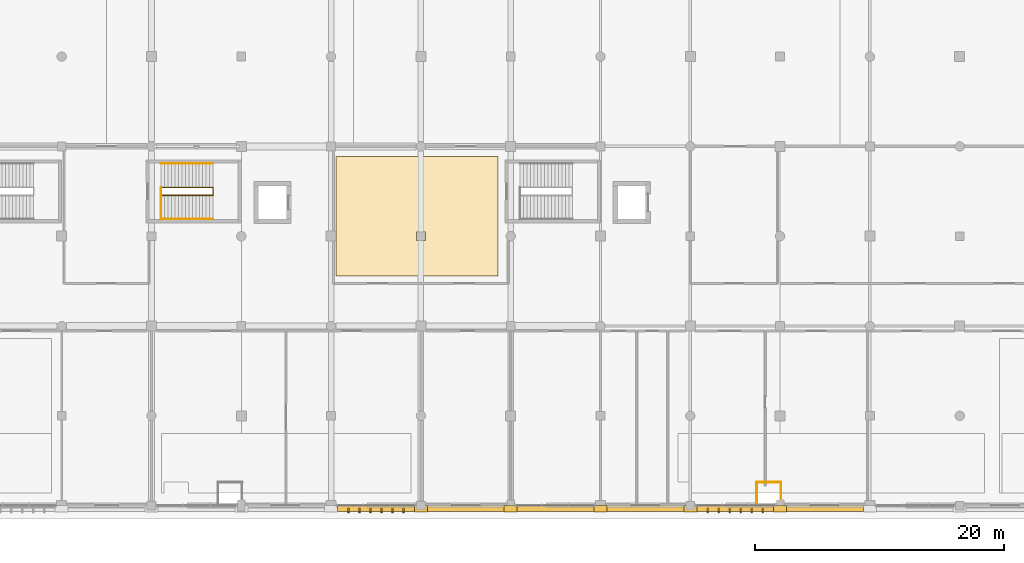
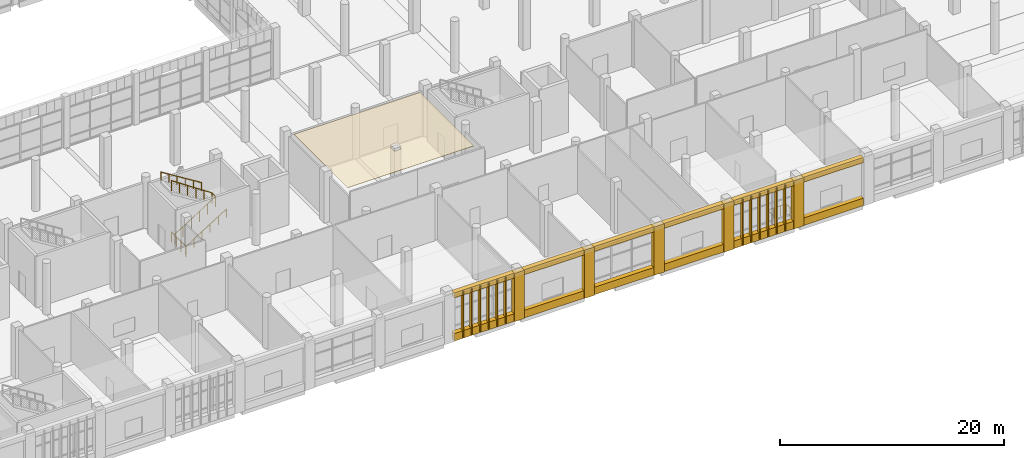
# One storey, part 69 of 80: 30 coverings, 8 railings.
"""IFC4 building model written with IfcOpenShell, lengths in metres."""

from ifc_helpers import new_model, si_unit, direction, frame, origin, origin_2d, place, context, subcontext, project, spatial, polyline, rectangle, circle, outline, extrude, material, layer, layer_set, type_object, element, save


model = new_model("IFC4")

# Units and contexts
model_context = context("Model", 3, precision=1e-05, world=origin(), true_north=direction((0.0, 1.0)))
body_context = subcontext(model_context, "Body", "Model", "MODEL_VIEW")
ifc_project = project(units=[si_unit("LENGTHUNIT", "METRE"), si_unit("AREAUNIT", "SQUARE_METRE"), si_unit("VOLUMEUNIT", "CUBIC_METRE"), si_unit("PLANEANGLEUNIT", "RADIAN"), si_unit("MASSUNIT", "GRAM", prefix="KILO")], contexts=[model_context])

# Site, building, storey
site_placement = place(None, origin())
site = spatial("IfcSite", under=ifc_project, at=site_placement, CompositionType="ELEMENT")
building_placement = place(site_placement, origin())
building = spatial("IfcBuilding", under=site, at=building_placement, Name="Sardonyx Promenade Sports Hall", CompositionType="ELEMENT")
storey_placement = place(building_placement, frame((0.0, 0.0, 5.60009765625)))
storey = spatial("IfcBuildingStorey", under=building, at=storey_placement, Name="L01", CompositionType="ELEMENT", Elevation=5.60009765625)

# Coverings
ifc_material_1 = material(Name="Perforated acoustic mineral-fibre baffle ceiling", Category="other")
ifc_layer_1 = layer(ifc_material_1, 0.0400390625)
ifc_layer_set_1 = layer_set([ifc_layer_1], Name="Cov_Ceil_Acoustic")
covering_type_1 = type_object("IfcCoveringType", Name="Cov_Ceil_Acoustic", PredefinedType="CEILING", material=ifc_layer_set_1)
covering_1_placement = place(storey_placement, frame((0.0, 0.0, 5.289794921875)))
element("IfcCovering", 1, at=covering_1_placement, inside=storey, type_object=covering_type_1, Name="Acoustic baffle ceiling CLG1 L01 #14", PredefinedType="CEILING", context=body_context, shape_type="SweptSolid", body=[
    extrude(outline(polyline([(86.800048828125, 21.199951171875), (86.800048828125, 18.39990234375), (99.800048828125, 18.39990234375), (99.800048828125, 28.0), (86.800048828125, 28.0), (86.800048828125, 22.0), (86.800048828125, 21.199951171875)]), holes=[polyline([(93.949951171875, 21.949951171875), (93.949951171875, 21.25), (93.25, 21.25), (93.25, 21.949951171875), (93.949951171875, 21.949951171875)])]), origin(), (0.0, 0.0, 1.0), 0.0400390625),
])
ifc_material_2 = material(Name="Dressed Cape red sandstone ashlar", Category="masonry")
ifc_layer_2 = layer(ifc_material_2, 0.06005859375)
ifc_layer_set_2 = layer_set([ifc_layer_2], Name="Cov_Cladding_Sandstone")
covering_type_2 = type_object("IfcCoveringType", Name="Cov_Cladding_Sandstone", PredefinedType="CLADDING", material=ifc_layer_set_2)
covering_2_placement = place(storey_placement, origin())
element("IfcCovering", 2, at=covering_2_placement, inside=storey, type_object=covering_type_2, Name="South sandstone bay pier casing L01 #13", PredefinedType="CLADDING", context=body_context, shape_type="SweptSolid", body=[
    extrude(outline(polyline([(93.080078125, -0.52001953125), (94.1201171875, -0.52001953125), (94.1201171875, 0.02001953125), (93.080078125, 0.02001953125), (93.080078125, -0.52001953125)])), origin(), (0.0, 0.0, 1.0), 5.25),
])
covering_3_placement = place(storey_placement, origin())
element("IfcCovering", 3, at=covering_3_placement, inside=storey, type_object=covering_type_2, Name="South sandstone bay pier casing L01 #14", PredefinedType="CLADDING", context=body_context, shape_type="SweptSolid", body=[
    extrude(outline(polyline([(100.280029296875, -0.52001953125), (101.320068359375, -0.52001953125), (101.320068359375, 0.02001953125), (100.280029296875, 0.02001953125), (100.280029296875, -0.52001953125)])), origin(), (0.0, 0.0, 1.0), 5.25),
])
covering_4_placement = place(storey_placement, origin())
element("IfcCovering", 4, at=covering_4_placement, inside=storey, type_object=covering_type_2, Name="South sandstone bay pier casing L01 #15", PredefinedType="CLADDING", context=body_context, shape_type="SweptSolid", body=[
    extrude(outline(polyline([(107.47998046875, -0.52001953125), (108.52001953125, -0.52001953125), (108.52001953125, 0.02001953125), (107.47998046875, 0.02001953125), (107.47998046875, -0.52001953125)])), origin(), (0.0, 0.0, 1.0), 5.25),
])
covering_5_placement = place(storey_placement, origin())
element("IfcCovering", 5, at=covering_5_placement, inside=storey, type_object=covering_type_2, Name="South sandstone bay pier casing L01 #16", PredefinedType="CLADDING", context=body_context, shape_type="SweptSolid", body=[
    extrude(outline(polyline([(114.679931640625, -0.52001953125), (115.719970703125, -0.52001953125), (115.719970703125, 0.02001953125), (114.679931640625, 0.02001953125), (114.679931640625, -0.52001953125)])), origin(), (0.0, 0.0, 1.0), 5.25),
])
covering_6_placement = place(storey_placement, origin())
element("IfcCovering", 6, at=covering_6_placement, inside=storey, type_object=covering_type_2, Name="South sandstone bay pier casing L01 #17", PredefinedType="CLADDING", context=body_context, shape_type="SweptSolid", body=[
    extrude(outline(polyline([(121.8798828125, -0.52001953125), (122.919921875, -0.52001953125), (122.919921875, 0.02001953125), (121.8798828125, 0.02001953125), (121.8798828125, -0.52001953125)])), origin(), (0.0, 0.0, 1.0), 5.25),
])
covering_7_placement = place(storey_placement, origin())
element("IfcCovering", 7, at=covering_7_placement, inside=storey, type_object=covering_type_2, Name="South sandstone sill spandrel L01 #5", PredefinedType="CLADDING", context=body_context, shape_type="SweptSolid", body=[
    extrude(outline(polyline([(122.919921875, -0.4599609375), (129.080078125, -0.4599609375), (129.080078125, 0.02001953125), (122.919921875, 0.02001953125), (122.919921875, -0.4599609375)])), origin(), (0.0, 0.0, 1.0), 0.81982421875),
])
covering_8_placement = place(storey_placement, frame((0.0, 0.0, 4.699951171875)))
element("IfcCovering", 8, at=covering_8_placement, inside=storey, type_object=covering_type_2, Name="South sandstone lintel frieze L01 #5", PredefinedType="CLADDING", context=body_context, shape_type="SweptSolid", body=[
    extrude(outline(polyline([(122.919921875, -0.4599609375), (129.080078125, -0.4599609375), (129.080078125, 0.02001953125), (122.919921875, 0.02001953125), (122.919921875, -0.4599609375)])), origin(), (0.0, 0.0, 1.0), 0.550048828125),
])
covering_9_placement = place(storey_placement, origin())
element("IfcCovering", 9, at=covering_9_placement, inside=storey, type_object=covering_type_2, Name="South sandstone sill spandrel L01 #6", PredefinedType="CLADDING", context=body_context, shape_type="SweptSolid", body=[
    extrude(outline(polyline([(115.719970703125, -0.4599609375), (121.8798828125, -0.4599609375), (121.8798828125, 0.02001953125), (115.719970703125, 0.02001953125), (115.719970703125, -0.4599609375)])), origin(), (0.0, 0.0, 1.0), 0.81982421875),
])
covering_10_placement = place(storey_placement, frame((0.0, 0.0, 4.699951171875)))
element("IfcCovering", 10, at=covering_10_placement, inside=storey, type_object=covering_type_2, Name="South sandstone lintel frieze L01 #6", PredefinedType="CLADDING", context=body_context, shape_type="SweptSolid", body=[
    extrude(outline(polyline([(115.719970703125, -0.4599609375), (121.8798828125, -0.4599609375), (121.8798828125, 0.02001953125), (115.719970703125, 0.02001953125), (115.719970703125, -0.4599609375)])), origin(), (0.0, 0.0, 1.0), 0.550048828125),
])
covering_11_placement = place(storey_placement, origin())
element("IfcCovering", 11, at=covering_11_placement, inside=storey, type_object=covering_type_2, Name="South sandstone sill spandrel L01 #7", PredefinedType="CLADDING", context=body_context, shape_type="SweptSolid", body=[
    extrude(outline(polyline([(108.52001953125, -0.4599609375), (114.679931640625, -0.4599609375), (114.679931640625, 0.02001953125), (108.52001953125, 0.02001953125), (108.52001953125, -0.4599609375)])), origin(), (0.0, 0.0, 1.0), 0.81982421875),
])
covering_12_placement = place(storey_placement, frame((0.0, 0.0, 4.699951171875)))
element("IfcCovering", 12, at=covering_12_placement, inside=storey, type_object=covering_type_2, Name="South sandstone lintel frieze L01 #7", PredefinedType="CLADDING", context=body_context, shape_type="SweptSolid", body=[
    extrude(outline(polyline([(108.52001953125, -0.4599609375), (114.679931640625, -0.4599609375), (114.679931640625, 0.02001953125), (108.52001953125, 0.02001953125), (108.52001953125, -0.4599609375)])), origin(), (0.0, 0.0, 1.0), 0.550048828125),
])
covering_13_placement = place(storey_placement, origin())
element("IfcCovering", 13, at=covering_13_placement, inside=storey, type_object=covering_type_2, Name="South sandstone sill spandrel L01 #8", PredefinedType="CLADDING", context=body_context, shape_type="SweptSolid", body=[
    extrude(outline(polyline([(101.320068359375, -0.4599609375), (107.47998046875, -0.4599609375), (107.47998046875, 0.02001953125), (101.320068359375, 0.02001953125), (101.320068359375, -0.4599609375)])), origin(), (0.0, 0.0, 1.0), 0.81982421875),
])
covering_14_placement = place(storey_placement, frame((0.0, 0.0, 4.699951171875)))
element("IfcCovering", 14, at=covering_14_placement, inside=storey, type_object=covering_type_2, Name="South sandstone lintel frieze L01 #8", PredefinedType="CLADDING", context=body_context, shape_type="SweptSolid", body=[
    extrude(outline(polyline([(101.320068359375, -0.4599609375), (107.47998046875, -0.4599609375), (107.47998046875, 0.02001953125), (101.320068359375, 0.02001953125), (101.320068359375, -0.4599609375)])), origin(), (0.0, 0.0, 1.0), 0.550048828125),
])
covering_15_placement = place(storey_placement, origin())
element("IfcCovering", 15, at=covering_15_placement, inside=storey, type_object=covering_type_2, Name="South sandstone sill spandrel L01 #9", PredefinedType="CLADDING", context=body_context, shape_type="SweptSolid", body=[
    extrude(outline(polyline([(94.1201171875, -0.4599609375), (100.280029296875, -0.4599609375), (100.280029296875, 0.02001953125), (94.1201171875, 0.02001953125), (94.1201171875, -0.4599609375)])), origin(), (0.0, 0.0, 1.0), 0.81982421875),
])
covering_16_placement = place(storey_placement, frame((0.0, 0.0, 4.699951171875)))
element("IfcCovering", 16, at=covering_16_placement, inside=storey, type_object=covering_type_2, Name="South sandstone lintel frieze L01 #9", PredefinedType="CLADDING", context=body_context, shape_type="SweptSolid", body=[
    extrude(outline(polyline([(94.1201171875, -0.4599609375), (100.280029296875, -0.4599609375), (100.280029296875, 0.02001953125), (94.1201171875, 0.02001953125), (94.1201171875, -0.4599609375)])), origin(), (0.0, 0.0, 1.0), 0.550048828125),
])
covering_17_placement = place(storey_placement, origin())
element("IfcCovering", 17, at=covering_17_placement, inside=storey, type_object=covering_type_2, Name="South sandstone sill spandrel L01 #10", PredefinedType="CLADDING", context=body_context, shape_type="SweptSolid", body=[
    extrude(outline(polyline([(86.919921875, -0.4599609375), (93.080078125, -0.4599609375), (93.080078125, 0.02001953125), (86.919921875, 0.02001953125), (86.919921875, -0.4599609375)])), origin(), (0.0, 0.0, 1.0), 0.81982421875),
])
covering_18_placement = place(storey_placement, frame((0.0, 0.0, 4.699951171875)))
element("IfcCovering", 18, at=covering_18_placement, inside=storey, type_object=covering_type_2, Name="South sandstone lintel frieze L01 #10", PredefinedType="CLADDING", context=body_context, shape_type="SweptSolid", body=[
    extrude(outline(polyline([(86.919921875, -0.4599609375), (93.080078125, -0.4599609375), (93.080078125, 0.02001953125), (86.919921875, 0.02001953125), (86.919921875, -0.4599609375)])), origin(), (0.0, 0.0, 1.0), 0.550048828125),
])
ifc_material_3 = material(Name="Glulam GL28h", Category="wood")
ifc_layer_3 = layer(ifc_material_3, 0.110107421875)
ifc_layer_set_3 = layer_set([ifc_layer_3], Name="Cov_Louvre_GL28h")
covering_type_3 = type_object("IfcCoveringType", Name="Cov_Louvre_GL28h", PredefinedType="MOLDING", material=ifc_layer_set_3)
for number, where, z_axis, x_axis, name in (
    (19, (116.60009765625, -0.3798828125, 0.10009765625), (0.0, 0.0, 1.0), (1.0, 0.0, 0.0), "Mughal jali screen mullion L01 #6-1"),
    (20, (117.47998046875, -0.3798828125, 0.10009765625), (0.0, 0.0, 1.0), (1.0, 0.0, 0.0), "Mughal jali screen mullion L01 #6-2"),
    (21, (118.360107421875, -0.3798828125, 0.10009765625), (0.0, 0.0, 1.0), (1.0, 0.0, 0.0), "Mughal jali screen mullion L01 #6-3"),
    (22, (119.239990234375, -0.3798828125, 0.10009765625), (0.0, 0.0, 1.0), (1.0, 0.0, 0.0), "Mughal jali screen mullion L01 #6-4"),
    (23, (120.1201171875, -0.3798828125, 0.10009765625), (0.0, 0.0, 1.0), (1.0, 0.0, 0.0), "Mughal jali screen mullion L01 #6-5"),
    (24, (121.0, -0.3798828125, 0.10009765625), (0.0, 0.0, 1.0), (1.0, 0.0, 0.0), "Mughal jali screen mullion L01 #6-6"),
    (25, (87.800048828125, -0.3798828125, 0.10009765625), (0.0, 0.0, 1.0), (1.0, 0.0, 0.0), "Mughal jali screen mullion L01 #10-1"),
    (26, (88.679931640625, -0.3798828125, 0.10009765625), (0.0, 0.0, 1.0), (1.0, 0.0, 0.0), "Mughal jali screen mullion L01 #10-2"),
    (27, (89.56005859375, -0.3798828125, 0.10009765625), (0.0, 0.0, 1.0), (1.0, 0.0, 0.0), "Mughal jali screen mullion L01 #10-3"),
    (28, (90.43994140625, -0.3798828125, 0.10009765625), (0.0, 0.0, 1.0), (1.0, 0.0, 0.0), "Mughal jali screen mullion L01 #10-4"),
    (29, (91.320068359375, -0.3798828125, 0.10009765625), (0.0, 0.0, 1.0), (1.0, 0.0, 0.0), "Mughal jali screen mullion L01 #10-5"),
    (30, (92.199951171875, -0.3798828125, 0.10009765625), (0.0, 0.0, 1.0), (1.0, 0.0, 0.0), "Mughal jali screen mullion L01 #10-6"),
):
    element("IfcCovering", number, at=place(storey_placement, frame(where, z_axis=z_axis, x_axis=x_axis)), inside=storey, type_object=covering_type_3, Name=name, PredefinedType="MOLDING", context=body_context, shape_type="SweptSolid", body=[
        extrude(rectangle(XDim=0.10009765625, YDim=0.360107421875, at=origin_2d()), origin(), (0.0, 0.0, 1.0), 5.050048828125),
    ])

# Railings
ifc_material_4 = material(Name="Powder-coated Steel S355JR", Category="steel")
railing_type_1 = type_object("IfcRailingType", Name="Rail_Int_Guard_1100", PredefinedType="GUARDRAIL", material=ifc_material_4)
railing_1_placement = place(storey_placement, frame((72.760009765625, 22.945068359375, 0.0)))
element("IfcRailing", 31, at=railing_1_placement, inside=storey, type_object=railing_type_1, Name="Stair floor-edge guard ST4 L01", PredefinedType="GUARDRAIL", context=body_context, shape_type="SweptSolid", body=[
    extrude(circle(Radius=0.02392578125, at=origin_2d()), frame((0.0, 0.0, 1.09619140625), z_axis=(0.0, 1.0, 0.0), x_axis=(-1.0, 0.0, 0.0)), (0.0, 0.0, 1.0), 2.56982421875),
    extrude(circle(Radius=0.02392578125, at=origin_2d()), frame((0.0, 2.56982421875, 1.09619140625), z_axis=(-1.0, 0.0, 0.0), x_axis=(0.0, -1.0, 0.0)), (0.0, 0.0, 1.0), 0.010009765625),
    extrude(circle(Radius=0.02099609375, at=origin_2d()), origin(), (0.0, 0.0, 1.0), 1.072021484375),
    extrude(circle(Radius=0.02099609375, at=origin_2d()), frame((0.0, 0.856689453125, 0.0)), (0.0, 0.0, 1.0), 1.072021484375),
    extrude(circle(Radius=0.02099609375, at=origin_2d()), frame((0.0, 1.713134765625, 0.0)), (0.0, 0.0, 1.0), 1.072021484375),
    extrude(circle(Radius=0.02099609375, at=origin_2d()), frame((0.0, 2.56982421875, 0.0)), (0.0, 0.0, 1.0), 1.072021484375),
    extrude(circle(Radius=0.02099609375, at=origin_2d()), frame((-0.010009765625, 2.56982421875, 0.0)), (0.0, 0.0, 1.0), 1.072021484375),
])
railing_2_placement = place(storey_placement, frame((72.75, 24.885009765625, 0.1748046875)))
element("IfcRailing", 32, at=railing_2_placement, inside=storey, type_object=railing_type_1, Name="Stair inner well guard ST4 L01", PredefinedType="GUARDRAIL", context=body_context, shape_type="SweptSolid", body=[
    extrude(circle(Radius=0.02392578125, at=origin_2d()), frame((0.0, 0.0, 1.09619140625), z_axis=(0.846854242419, 0.0, 0.531825057794), x_axis=(0.0, 1.0, 0.0)), (0.0, 0.0, 1.0), 4.935791015625),
    extrude(circle(Radius=0.02392578125, at=origin_2d()), frame((4.179931640625, 0.0, 3.72119140625), z_axis=(0.0, 1.0, 0.0), x_axis=(-1.0, 0.0, 0.0)), (0.0, 0.0, 1.0), 0.6298828125),
    extrude(circle(Radius=0.02392578125, at=origin_2d()), frame((4.179931640625, 0.6298828125, 3.72119140625), z_axis=(-0.830816424754, 0.0, 0.556546555429), x_axis=(0.0, -1.0, 0.0)), (0.0, 0.0, 1.0), 5.031005859375),
    extrude(circle(Radius=0.02099609375, at=origin_2d()), origin(), (0.0, 0.0, 1.0), 1.072021484375),
    extrude(circle(Radius=0.02099609375, at=origin_2d()), frame((0.8359375, 0.0, 0.52490234375)), (0.0, 0.0, 1.0), 1.072021484375),
    extrude(circle(Radius=0.02099609375, at=origin_2d()), frame((1.671875, 0.0, 1.050048828125)), (0.0, 0.0, 1.0), 1.072021484375),
    extrude(circle(Radius=0.02099609375, at=origin_2d()), frame((2.508056640625, 0.0, 1.574951171875)), (0.0, 0.0, 1.0), 1.072021484375),
    extrude(circle(Radius=0.02099609375, at=origin_2d()), frame((3.343994140625, 0.0, 2.10009765625)), (0.0, 0.0, 1.0), 1.072021484375),
    extrude(circle(Radius=0.02099609375, at=origin_2d()), frame((4.179931640625, 0.0, 2.625)), (0.0, 0.0, 1.0), 1.072021484375),
    extrude(circle(Radius=0.02099609375, at=origin_2d()), frame((4.179931640625, 0.6298828125, 2.625)), (0.0, 0.0, 1.0), 1.072021484375),
    extrude(circle(Radius=0.02099609375, at=origin_2d()), frame((3.343994140625, 0.6298828125, 3.18505859375)), (0.0, 0.0, 1.0), 1.072021484375),
    extrude(circle(Radius=0.02099609375, at=origin_2d()), frame((2.508056640625, 0.6298828125, 3.7451171875)), (0.0, 0.0, 1.0), 1.072021484375),
    extrude(circle(Radius=0.02099609375, at=origin_2d()), frame((1.671875, 0.6298828125, 4.304931640625)), (0.0, 0.0, 1.0), 1.072021484375),
    extrude(circle(Radius=0.02099609375, at=origin_2d()), frame((0.8359375, 0.6298828125, 4.864990234375)), (0.0, 0.0, 1.0), 1.072021484375),
    extrude(circle(Radius=0.02099609375, at=origin_2d()), frame((0.0, 0.6298828125, 5.425048828125)), (0.0, 0.0, 1.0), 1.072021484375),
])
railing_3_placement = place(storey_placement, frame((120.530029296875, 0.199951171875, 0.0)))
element("IfcRailing", 33, at=railing_3_placement, inside=storey, type_object=railing_type_1, Name="Deck-edge guardrail GR02 L01 #7", PredefinedType="GUARDRAIL", context=body_context, shape_type="SweptSolid", body=[
    extrude(circle(Radius=0.02392578125, at=origin_2d()), frame((0.0, 0.0, 1.09619140625), z_axis=(0.0, 1.0, 0.0), x_axis=(-1.0, 0.0, 0.0)), (0.0, 0.0, 1.0), 1.679931640625),
    extrude(circle(Radius=0.02099609375, at=origin_2d()), origin(), (0.0, 0.0, 1.0), 1.072021484375),
    extrude(circle(Radius=0.02099609375, at=origin_2d()), frame((0.0, 0.83984375, 0.0)), (0.0, 0.0, 1.0), 1.072021484375),
    extrude(circle(Radius=0.02099609375, at=origin_2d()), frame((0.0, 1.679931640625, 0.0)), (0.0, 0.0, 1.0), 1.072021484375),
])
railing_4_placement = place(storey_placement, frame((120.52001953125, 1.8701171875, 0.0)))
element("IfcRailing", 34, at=railing_4_placement, inside=storey, type_object=railing_type_1, Name="Deck-edge guardrail GR02 L01 #8", PredefinedType="GUARDRAIL", context=body_context, shape_type="SweptSolid", body=[
    extrude(circle(Radius=0.02392578125, at=origin_2d()), frame((0.0, 0.0, 1.09619140625), z_axis=(1.0, 0.0, 0.0), x_axis=(0.0, 1.0, 0.0)), (0.0, 0.0, 1.0), 0.64990234375),
    extrude(circle(Radius=0.02099609375, at=origin_2d()), origin(), (0.0, 0.0, 1.0), 1.072021484375),
    extrude(circle(Radius=0.02099609375, at=origin_2d()), frame((0.64990234375, 0.0, 0.0)), (0.0, 0.0, 1.0), 1.072021484375),
])
railing_5_placement = place(storey_placement, frame((121.22998046875, 1.8701171875, 0.0)))
element("IfcRailing", 35, at=railing_5_placement, inside=storey, type_object=railing_type_1, Name="Deck-edge guardrail GR02 L01 #9", PredefinedType="GUARDRAIL", context=body_context, shape_type="SweptSolid", body=[
    extrude(circle(Radius=0.02392578125, at=origin_2d()), frame((0.0, 0.0, 1.09619140625), z_axis=(1.0, 0.0, 0.0), x_axis=(0.0, 1.0, 0.0)), (0.0, 0.0, 1.0), 1.25),
    extrude(circle(Radius=0.02099609375, at=origin_2d()), origin(), (0.0, 0.0, 1.0), 1.072021484375),
    extrude(circle(Radius=0.02099609375, at=origin_2d()), frame((0.625, 0.0, 0.0)), (0.0, 0.0, 1.0), 1.072021484375),
    extrude(circle(Radius=0.02099609375, at=origin_2d()), frame((1.25, 0.0, 0.0)), (0.0, 0.0, 1.0), 1.072021484375),
])
railing_6_placement = place(storey_placement, frame((122.469970703125, 1.8798828125, 0.0)))
element("IfcRailing", 36, at=railing_6_placement, inside=storey, type_object=railing_type_1, Name="Deck-edge guardrail GR02 L01 #10", PredefinedType="GUARDRAIL", context=body_context, shape_type="SweptSolid", body=[
    extrude(circle(Radius=0.02392578125, at=origin_2d()), frame((0.0, 0.0, 1.09619140625), z_axis=(0.0, -1.0, 0.0), x_axis=(1.0, 0.0, 0.0)), (0.0, 0.0, 1.0), 1.329833984375),
    extrude(circle(Radius=0.02099609375, at=origin_2d()), origin(), (0.0, 0.0, 1.0), 1.072021484375),
    extrude(circle(Radius=0.02099609375, at=origin_2d()), frame((0.0, -0.6650390625, 0.0)), (0.0, 0.0, 1.0), 1.072021484375),
    extrude(circle(Radius=0.02099609375, at=origin_2d()), frame((0.0, -1.329833984375, 0.0)), (0.0, 0.0, 1.0), 1.072021484375),
])
ifc_material_5 = material(Name="Brushed stainless steel Grade 304", Category="steel")
railing_type_2 = type_object("IfcRailingType", Name="Rail_Int_Handrail_900", PredefinedType="HANDRAIL", material=ifc_material_5)
railing_7_placement = place(storey_placement, frame((72.75, 22.97509765625, 0.1748046875)))
element("IfcRailing", 37, at=railing_7_placement, inside=storey, type_object=railing_type_2, Name="Stair handrail ST4 L01 F1", PredefinedType="HANDRAIL", context=body_context, shape_type="SweptSolid", body=[
    extrude(circle(Radius=0.02392578125, at=origin_2d()), frame((0.0, 0.0, 0.8759765625), z_axis=(0.847995534698, 0.0, 0.530003370869), x_axis=(0.0, 1.0, 0.0)), (0.0, 0.0, 1.0), 4.952880859375),
    extrude(circle(Radius=0.02099609375, at=origin_2d()), origin(), (0.0, 0.0, 1.0), 0.851806640625),
    extrude(circle(Radius=0.02099609375, at=origin_2d()), frame((0.840087890625, 0.0, 0.52490234375)), (0.0, 0.0, 1.0), 0.851806640625),
    extrude(circle(Radius=0.02099609375, at=origin_2d()), frame((1.679931640625, 0.0, 1.050048828125)), (0.0, 0.0, 1.0), 0.851806640625),
    extrude(circle(Radius=0.02099609375, at=origin_2d()), frame((2.52001953125, 0.0, 1.574951171875)), (0.0, 0.0, 1.0), 0.851806640625),
    extrude(circle(Radius=0.02099609375, at=origin_2d()), frame((3.35986328125, 0.0, 2.10009765625)), (0.0, 0.0, 1.0), 0.851806640625),
    extrude(circle(Radius=0.02099609375, at=origin_2d()), frame((4.199951171875, 0.0, 2.625)), (0.0, 0.0, 1.0), 0.851806640625),
])
railing_8_placement = place(storey_placement, frame((76.949951171875, 27.425048828125, 2.974853515625)))
element("IfcRailing", 38, at=railing_8_placement, inside=storey, type_object=railing_type_2, Name="Stair handrail ST4 L01 F2", PredefinedType="HANDRAIL", context=body_context, shape_type="SweptSolid", body=[
    extrude(circle(Radius=0.02392578125, at=origin_2d()), frame((0.0, 0.0, 0.8759765625), z_axis=(-0.847995534698, 0.0, 0.530003370869), x_axis=(0.0, -1.0, 0.0)), (0.0, 0.0, 1.0), 4.952880859375),
    extrude(circle(Radius=0.02099609375, at=origin_2d()), origin(), (0.0, 0.0, 1.0), 0.851806640625),
    extrude(circle(Radius=0.02099609375, at=origin_2d()), frame((-0.840087890625, 0.0, 0.52490234375)), (0.0, 0.0, 1.0), 0.851806640625),
    extrude(circle(Radius=0.02099609375, at=origin_2d()), frame((-1.679931640625, 0.0, 1.050048828125)), (0.0, 0.0, 1.0), 0.851806640625),
    extrude(circle(Radius=0.02099609375, at=origin_2d()), frame((-2.52001953125, 0.0, 1.574951171875)), (0.0, 0.0, 1.0), 0.851806640625),
    extrude(circle(Radius=0.02099609375, at=origin_2d()), frame((-3.35986328125, 0.0, 2.10009765625)), (0.0, 0.0, 1.0), 0.851806640625),
    extrude(circle(Radius=0.02099609375, at=origin_2d()), frame((-4.199951171875, 0.0, 2.625)), (0.0, 0.0, 1.0), 0.851806640625),
])

save(model, "model.ifc")
